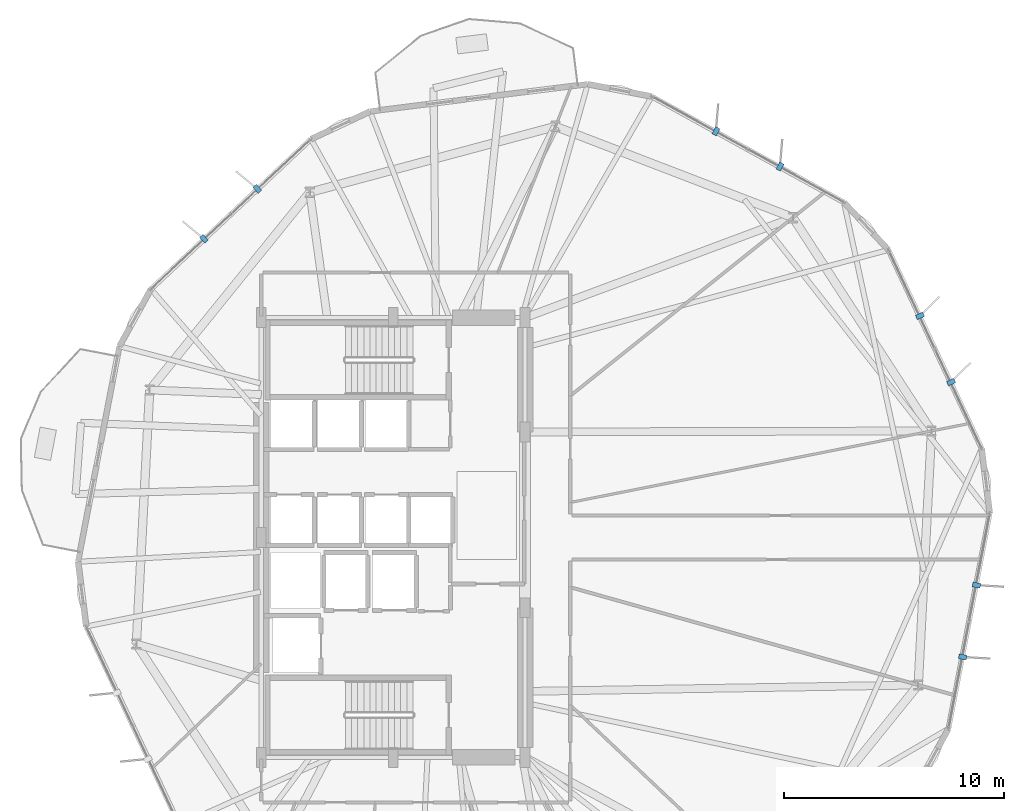
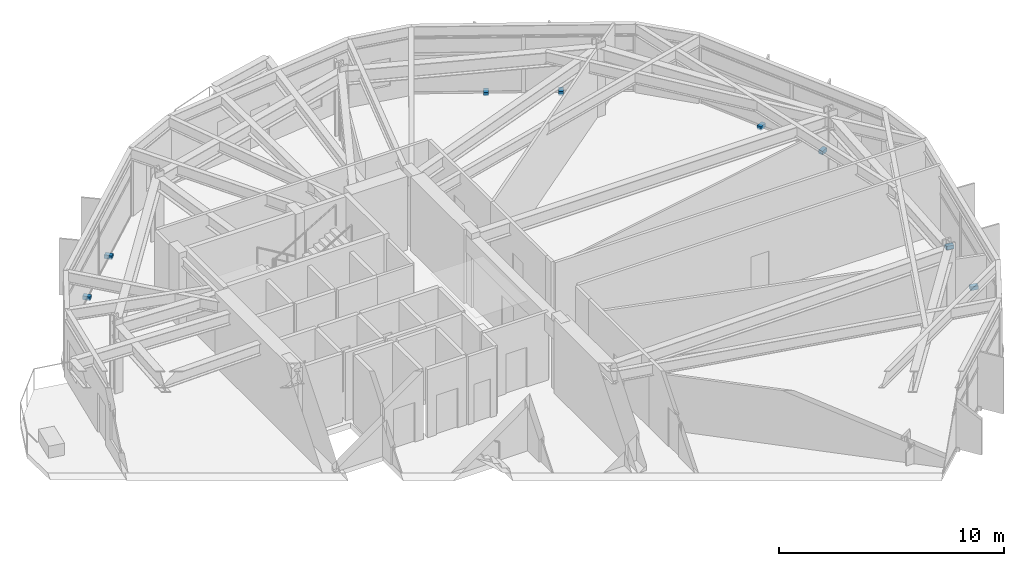
# One storey, part 19 of 22: 8 discrete accessories.
"""IFC4 building model written with IfcOpenShell, lengths in metres."""

from ifc_helpers import new_model, si_unit, direction, frame, origin, origin_2d, place, context, subcontext, project, spatial, rectangle, extrude, material, type_object, element, save


model = new_model("IFC4")

# Units and contexts
model_context = context("Model", 3, precision=1e-05, world=origin(), true_north=direction((0.0, 1.0)))
body_context = subcontext(model_context, "Body", "Model", "MODEL_VIEW")
ifc_project = project(units=[si_unit("LENGTHUNIT", "METRE"), si_unit("AREAUNIT", "SQUARE_METRE"), si_unit("VOLUMEUNIT", "CUBIC_METRE"), si_unit("PLANEANGLEUNIT", "RADIAN"), si_unit("MASSUNIT", "GRAM", prefix="KILO")], contexts=[model_context])

# Site, building, storey
site_placement = place(None, origin())
site = spatial("IfcSite", under=ifc_project, at=site_placement, CompositionType="ELEMENT")
building_placement = place(site_placement, origin())
building = spatial("IfcBuilding", under=site, at=building_placement, Name="Soratama Intermodal Tower", CompositionType="ELEMENT")
storey_placement = place(building_placement, frame((0.0, 0.0, 54.60009765625)))
storey = spatial("IfcBuildingStorey", under=building, at=storey_placement, Name="L12", CompositionType="ELEMENT", Elevation=54.60009765625)

# Discrete accessories
ifc_material = material(Name="Structural steel ASTM A992 Grade 50", Category="steel")
discrete_accessory_type = type_object("IfcDiscreteAccessoryType", Name="AC-FIN-BRACKET", PredefinedType="BRACKET", material=ifc_material)
for number, where, z_axis, x_axis, name in (
    (1, (63.9716796875, 32.06591796875, -0.080078125), (0.0, 0.0, 1.0), (0.905272431289, 0.424831525605, 0.0), "L12 Fin Bracket F01-1"),
    (2, (62.558349609375, 35.0771484375, -0.080078125), (0.0, 0.0, 1.0), (0.905272431289, 0.424831525605, 0.0), "L12 Fin Bracket F01-2"),
    (3, (56.195068359375, 41.86767578125, -0.080078125), (0.0, 0.0, 1.0), (0.482671075992, 0.875801708379, 0.0), "L12 Fin Bracket F02-1"),
    (4, (53.281982421875, 43.47314453125, -0.080078125), (0.0, 0.0, 1.0), (0.482671075992, 0.875801708379, 0.0), "L12 Fin Bracket F02-2"),
    (5, (32.41748046875, 40.859619140625, -0.080078125), (0.0, 0.0, 1.0), (-0.683783356562, 0.729685083642, 0.0), "L12 Fin Bracket F04-1"),
    (6, (29.990234375, 38.5849609375, -0.080078125), (0.0, 0.0, 1.0), (-0.683783356562, 0.729685083642, 0.0), "L12 Fin Bracket F04-2"),
    (7, (64.50146484375, 19.565185546875, -0.080078125), (0.0, 0.0, 1.0), (0.982090486912, -0.188409860458, 0.0), "L12 Fin Bracket F10-1"),
    (8, (65.128173828125, 22.83203125, -0.080078125), (0.0, 0.0, 1.0), (0.982090486912, -0.188409860458, 0.0), "L12 Fin Bracket F10-2"),
):
    element("IfcDiscreteAccessory", number, at=place(storey_placement, frame(where, z_axis=z_axis, x_axis=x_axis)), inside=storey, type_object=discrete_accessory_type, Name=name, PredefinedType="BRACKET", context=body_context, shape_type="SweptSolid", body=[
        extrude(rectangle(XDim=0.360107421875, YDim=0.219970703125, at=origin_2d()), origin(), (0.0, 0.0, 1.0), 0.199951171875),
    ])

save(model, "model.ifc")
